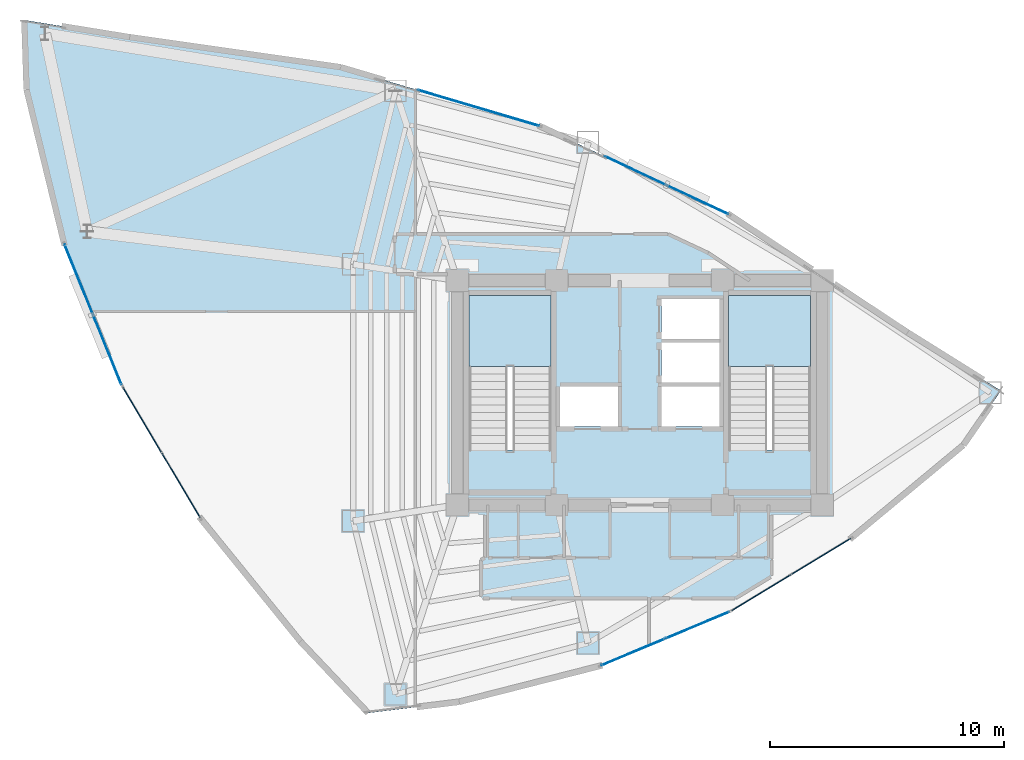
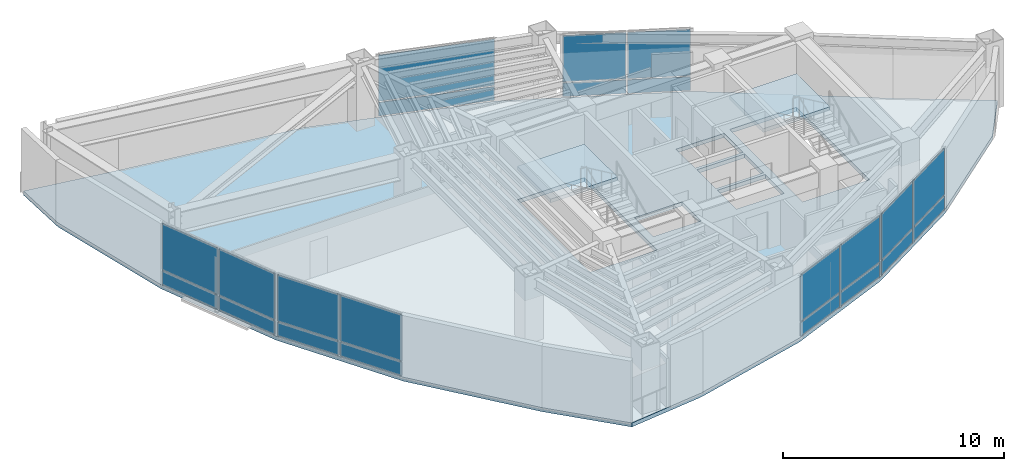
# One storey, part 11 of 16: 22 plates, 3 slabs, 8 elements without a shape of their own.
"""IFC4 building model written with IfcOpenShell, lengths in metres."""

from ifc_helpers import new_model, si_unit, direction, frame, origin, origin_2d, place, context, subcontext, project, spatial, polyline, rectangle, outline, extrude, material, layer, layer_set, type_object, element, aggregate, save


model = new_model("IFC4")

# Units and contexts
model_context = context("Model", 3, precision=1e-05, world=origin(), true_north=direction((0.0, 1.0)))
body_context = subcontext(model_context, "Body", "Model", "MODEL_VIEW")
ifc_project = project(units=[si_unit("LENGTHUNIT", "METRE"), si_unit("AREAUNIT", "SQUARE_METRE"), si_unit("VOLUMEUNIT", "CUBIC_METRE"), si_unit("PLANEANGLEUNIT", "RADIAN"), si_unit("MASSUNIT", "GRAM", prefix="KILO")], contexts=[model_context])

# Site, building, storey
site_placement = place(None, origin())
site = spatial("IfcSite", under=ifc_project, at=site_placement, CompositionType="ELEMENT")
building_placement = place(site_placement, origin())
building = spatial("IfcBuilding", under=site, at=building_placement, Name="Menara Vayukalpa", CompositionType="ELEMENT")
storey_placement = place(building_placement, frame((0.0, 0.0, 198.9599609375)))
storey = spatial("IfcBuildingStorey", under=building, at=storey_placement, Name="L50", CompositionType="ELEMENT", Elevation=198.9599609375)

# Curtain wall, plates
ifc_material_1 = material(Name="Anodised Terracotta Aluminium Alloy 6063-T6", Category="masonry")
ifc_layer_1 = layer(ifc_material_1, 0.179931640625)
ifc_layer_set_1 = layer_set([ifc_layer_1], Name="Anodised Terracotta Aluminium Alloy 6063-T6")
curtain_wall_type = type_object("IfcCurtainWallType", Name="CW-CW4", PredefinedType="USERDEFINED", material=ifc_layer_set_1)
curtain_wall_1_placement = place(storey_placement, origin())
curtain_wall_1 = element("IfcCurtainWall", 1, at=curtain_wall_1_placement, inside=storey, type_object=curtain_wall_type, Name="L50 Sky Bar Cantilever Glazed Curtain Wall CW4 05", ObjectType="UNITISED", PredefinedType="USERDEFINED")
ifc_material_2 = material(Name="Low-E Double Glazing", Category="glass")
ifc_layer_2 = layer(ifc_material_2, 0.0380859375)
ifc_layer_set_2 = layer_set([ifc_layer_2], Name="Low-E Double Glazing")
plate_type = type_object("IfcPlateType", Name="CWP-CW4", PredefinedType="CURTAIN_PANEL", material=ifc_layer_set_2)
plate_1_placement = place(storey_placement, frame((28.0751953125, 30.24462890625, 0.070068359375), z_axis=(0.0, 0.0, 1.0), x_axis=(-0.90578213551, 0.423743699648, 0.0)))
plate_1 = element("IfcPlate", 2, at=plate_1_placement, type_object=plate_type, Name="CW4 panel 1.1", PredefinedType="CURTAIN_PANEL", context=body_context, shape_type="SweptSolid", body=[
    extrude(rectangle(XDim=2.868896484375, YDim=0.0380859375, at=origin_2d()), origin(), (0.0, 0.0, 1.0), 0.7451171875),
])
plate_2_placement = place(storey_placement, frame((28.0751953125, 30.24462890625, 0.885009765625), z_axis=(0.0, 0.0, 1.0), x_axis=(-0.90578213551, 0.423743699648, 0.0)))
plate_2 = element("IfcPlate", 3, at=plate_2_placement, type_object=plate_type, Name="CW4 panel 1.2", PredefinedType="CURTAIN_PANEL", context=body_context, shape_type="SweptSolid", body=[
    extrude(rectangle(XDim=2.868896484375, YDim=0.0380859375, at=origin_2d()), origin(), (0.0, 0.0, 1.0), 2.544921875),
])
plate_3_placement = place(storey_placement, frame((25.40869140625, 31.4921875, 0.070068359375), z_axis=(0.0, 0.0, 1.0), x_axis=(-0.90578213551, 0.423743699648, 0.0)))
plate_3 = element("IfcPlate", 4, at=plate_3_placement, type_object=plate_type, Name="CW4 panel 2.1", PredefinedType="CURTAIN_PANEL", context=body_context, shape_type="SweptSolid", body=[
    extrude(rectangle(XDim=2.868896484375, YDim=0.0380859375, at=origin_2d()), origin(), (0.0, 0.0, 1.0), 0.7451171875),
])
plate_4_placement = place(storey_placement, frame((25.40869140625, 31.4921875, 0.885009765625), z_axis=(0.0, 0.0, 1.0), x_axis=(-0.90578213551, 0.423743699648, 0.0)))
plate_4 = element("IfcPlate", 5, at=plate_4_placement, type_object=plate_type, Name="CW4 panel 2.2", PredefinedType="CURTAIN_PANEL", context=body_context, shape_type="SweptSolid", body=[
    extrude(rectangle(XDim=2.868896484375, YDim=0.0380859375, at=origin_2d()), origin(), (0.0, 0.0, 1.0), 2.544921875),
])
aggregate(curtain_wall_1, [plate_1, plate_2, plate_3, plate_4])

curtain_wall_2_placement = place(storey_placement, origin())
curtain_wall_2 = element("IfcCurtainWall", 6, at=curtain_wall_2_placement, inside=storey, type_object=curtain_wall_type, Name="L50 Sky Bar Cantilever Glazed Curtain Wall CW4 07", ObjectType="UNITISED", PredefinedType="USERDEFINED")
plate_5_placement = place(storey_placement, frame((18.702880859375, 34.17236328125, 0.070068359375), z_axis=(0.0, 0.0, 1.0), x_axis=(-0.958855725645, 0.283893813595, 0.0)))
plate_5 = element("IfcPlate", 7, at=plate_5_placement, type_object=plate_type, Name="CW4 panel 1.1", PredefinedType="CURTAIN_PANEL", context=body_context, shape_type="SweptSolid", body=[
    extrude(rectangle(XDim=5.39892578125, YDim=0.0380859375, at=origin_2d()), origin(), (0.0, 0.0, 1.0), 0.7451171875),
])
plate_6_placement = place(storey_placement, frame((18.702880859375, 34.17236328125, 0.885009765625), z_axis=(0.0, 0.0, 1.0), x_axis=(-0.958855725645, 0.283893813595, 0.0)))
plate_6 = element("IfcPlate", 8, at=plate_6_placement, type_object=plate_type, Name="CW4 panel 1.2", PredefinedType="CURTAIN_PANEL", context=body_context, shape_type="SweptSolid", body=[
    extrude(rectangle(XDim=5.39892578125, YDim=0.0380859375, at=origin_2d()), origin(), (0.0, 0.0, 1.0), 2.544921875),
])
aggregate(curtain_wall_2, [plate_5, plate_6])

curtain_wall_3_placement = place(storey_placement, origin())
curtain_wall_3 = element("IfcCurtainWall", 9, at=curtain_wall_3_placement, inside=storey, type_object=curtain_wall_type, Name="L50 Sky Bar Cantilever Glazed Curtain Wall CW4 13", ObjectType="UNITISED", PredefinedType="USERDEFINED")
plate_7_placement = place(storey_placement, frame((1.60888671875, 26.853271484375, 0.070068359375), z_axis=(0.0, 0.0, 1.0), x_axis=(0.376092351793, -0.926582183577, 0.0)))
plate_7 = element("IfcPlate", 10, at=plate_7_placement, type_object=plate_type, Name="CW4 panel 1.1", PredefinedType="CURTAIN_PANEL", context=body_context, shape_type="SweptSolid", body=[
    extrude(rectangle(XDim=3.18994140625, YDim=0.0380859375, at=origin_2d()), origin(), (0.0, 0.0, 1.0), 0.7451171875),
])
plate_8_placement = place(storey_placement, frame((1.60888671875, 26.853271484375, 0.885009765625), z_axis=(0.0, 0.0, 1.0), x_axis=(0.376092351793, -0.926582183577, 0.0)))
plate_8 = element("IfcPlate", 11, at=plate_8_placement, type_object=plate_type, Name="CW4 panel 1.2", PredefinedType="CURTAIN_PANEL", context=body_context, shape_type="SweptSolid", body=[
    extrude(rectangle(XDim=3.18994140625, YDim=0.0380859375, at=origin_2d()), origin(), (0.0, 0.0, 1.0), 2.544921875),
])
plate_9_placement = place(storey_placement, frame((2.8369140625, 23.827880859375, 0.070068359375), z_axis=(0.0, 0.0, 1.0), x_axis=(0.376092351793, -0.926582183577, 0.0)))
plate_9 = element("IfcPlate", 12, at=plate_9_placement, type_object=plate_type, Name="CW4 panel 2.1", PredefinedType="CURTAIN_PANEL", context=body_context, shape_type="SweptSolid", body=[
    extrude(rectangle(XDim=3.18994140625, YDim=0.0380859375, at=origin_2d()), origin(), (0.0, 0.0, 1.0), 0.7451171875),
])
plate_10_placement = place(storey_placement, frame((2.8369140625, 23.827880859375, 0.885009765625), z_axis=(0.0, 0.0, 1.0), x_axis=(0.376092351793, -0.926582183577, 0.0)))
plate_10 = element("IfcPlate", 13, at=plate_10_placement, type_object=plate_type, Name="CW4 panel 2.2", PredefinedType="CURTAIN_PANEL", context=body_context, shape_type="SweptSolid", body=[
    extrude(rectangle(XDim=3.18994140625, YDim=0.0380859375, at=origin_2d()), origin(), (0.0, 0.0, 1.0), 2.544921875),
])
aggregate(curtain_wall_3, [plate_7, plate_8, plate_9, plate_10])

curtain_wall_4_placement = place(storey_placement, origin())
curtain_wall_4 = element("IfcCurtainWall", 14, at=curtain_wall_4_placement, inside=storey, type_object=curtain_wall_type, Name="L50 Sky Bar Cantilever Glazed Curtain Wall CW4 14", ObjectType="UNITISED", PredefinedType="USERDEFINED")
plate_11_placement = place(storey_placement, frame((4.31689453125, 20.84423828125, 0.070068359375), z_axis=(0.0, 0.0, 1.0), x_axis=(0.510091625634, -0.86012006921, 0.0)))
plate_11 = element("IfcPlate", 15, at=plate_11_placement, type_object=plate_type, Name="CW4 panel 1.1", PredefinedType="CURTAIN_PANEL", context=body_context, shape_type="SweptSolid", body=[
    extrude(rectangle(XDim=3.18994140625, YDim=0.0380859375, at=origin_2d()), origin(), (0.0, 0.0, 1.0), 0.7451171875),
])
plate_12_placement = place(storey_placement, frame((4.31689453125, 20.84423828125, 0.885009765625), z_axis=(0.0, 0.0, 1.0), x_axis=(0.510091625634, -0.86012006921, 0.0)))
plate_12 = element("IfcPlate", 16, at=plate_12_placement, type_object=plate_type, Name="CW4 panel 1.2", PredefinedType="CURTAIN_PANEL", context=body_context, shape_type="SweptSolid", body=[
    extrude(rectangle(XDim=3.18994140625, YDim=0.0380859375, at=origin_2d()), origin(), (0.0, 0.0, 1.0), 2.544921875),
])
plate_13_placement = place(storey_placement, frame((5.982177734375, 18.035888671875, 0.070068359375), z_axis=(0.0, 0.0, 1.0), x_axis=(0.510091625634, -0.86012006921, 0.0)))
plate_13 = element("IfcPlate", 17, at=plate_13_placement, type_object=plate_type, Name="CW4 panel 2.1", PredefinedType="CURTAIN_PANEL", context=body_context, shape_type="SweptSolid", body=[
    extrude(rectangle(XDim=3.18994140625, YDim=0.0380859375, at=origin_2d()), origin(), (0.0, 0.0, 1.0), 0.7451171875),
])
plate_14_placement = place(storey_placement, frame((5.982177734375, 18.035888671875, 0.885009765625), z_axis=(0.0, 0.0, 1.0), x_axis=(0.510091625634, -0.86012006921, 0.0)))
plate_14 = element("IfcPlate", 18, at=plate_14_placement, type_object=plate_type, Name="CW4 panel 2.2", PredefinedType="CURTAIN_PANEL", context=body_context, shape_type="SweptSolid", body=[
    extrude(rectangle(XDim=3.18994140625, YDim=0.0380859375, at=origin_2d()), origin(), (0.0, 0.0, 1.0), 2.544921875),
])
aggregate(curtain_wall_4, [plate_11, plate_12, plate_13, plate_14])

curtain_wall_5_placement = place(storey_placement, origin())
curtain_wall_5 = element("IfcCurtainWall", 19, at=curtain_wall_5_placement, inside=storey, type_object=curtain_wall_type, Name="L50 Sky Bar Cantilever Glazed Curtain Wall CW4 19", ObjectType="UNITISED", PredefinedType="USERDEFINED")
plate_15_placement = place(storey_placement, frame((25.3046875, 10.90380859375, 0.070068359375), z_axis=(0.0, 0.0, 1.0), x_axis=(0.922539431351, 0.385902834406, 0.0)))
plate_15 = element("IfcPlate", 20, at=plate_15_placement, type_object=plate_type, Name="CW4 panel 1.1", PredefinedType="CURTAIN_PANEL", context=body_context, shape_type="SweptSolid", body=[
    extrude(rectangle(XDim=2.919921875, YDim=0.0380859375, at=origin_2d()), origin(), (0.0, 0.0, 1.0), 0.7451171875),
])
plate_16_placement = place(storey_placement, frame((25.3046875, 10.90380859375, 0.885009765625), z_axis=(0.0, 0.0, 1.0), x_axis=(0.922539431351, 0.385902834406, 0.0)))
plate_16 = element("IfcPlate", 21, at=plate_16_placement, type_object=plate_type, Name="CW4 panel 1.2", PredefinedType="CURTAIN_PANEL", context=body_context, shape_type="SweptSolid", body=[
    extrude(rectangle(XDim=2.919921875, YDim=0.0380859375, at=origin_2d()), origin(), (0.0, 0.0, 1.0), 2.544921875),
])
plate_17_placement = place(storey_placement, frame((28.067626953125, 12.0595703125, 0.070068359375), z_axis=(0.0, 0.0, 1.0), x_axis=(0.922539431351, 0.385902834406, 0.0)))
plate_17 = element("IfcPlate", 22, at=plate_17_placement, type_object=plate_type, Name="CW4 panel 2.1", PredefinedType="CURTAIN_PANEL", context=body_context, shape_type="SweptSolid", body=[
    extrude(rectangle(XDim=2.919921875, YDim=0.0380859375, at=origin_2d()), origin(), (0.0, 0.0, 1.0), 0.7451171875),
])
plate_18_placement = place(storey_placement, frame((28.067626953125, 12.0595703125, 0.885009765625), z_axis=(0.0, 0.0, 1.0), x_axis=(0.922539431351, 0.385902834406, 0.0)))
plate_18 = element("IfcPlate", 23, at=plate_18_placement, type_object=plate_type, Name="CW4 panel 2.2", PredefinedType="CURTAIN_PANEL", context=body_context, shape_type="SweptSolid", body=[
    extrude(rectangle(XDim=2.919921875, YDim=0.0380859375, at=origin_2d()), origin(), (0.0, 0.0, 1.0), 2.544921875),
])
aggregate(curtain_wall_5, [plate_15, plate_16, plate_17, plate_18])

curtain_wall_6_placement = place(storey_placement, origin())
curtain_wall_6 = element("IfcCurtainWall", 24, at=curtain_wall_6_placement, inside=storey, type_object=curtain_wall_type, Name="L50 Sky Bar Cantilever Glazed Curtain Wall CW4 20", ObjectType="UNITISED", PredefinedType="USERDEFINED")
plate_19_placement = place(storey_placement, frame((30.795654296875, 13.44873046875, 0.070068359375), z_axis=(0.0, 0.0, 1.0), x_axis=(0.854664974832, 0.519179911779, 0.0)))
plate_19 = element("IfcPlate", 25, at=plate_19_placement, type_object=plate_type, Name="CW4 panel 1.1", PredefinedType="CURTAIN_PANEL", context=body_context, shape_type="SweptSolid", body=[
    extrude(rectangle(XDim=2.919921875, YDim=0.0380859375, at=origin_2d()), origin(), (0.0, 0.0, 1.0), 0.7451171875),
])
plate_20_placement = place(storey_placement, frame((30.795654296875, 13.44873046875, 0.885009765625), z_axis=(0.0, 0.0, 1.0), x_axis=(0.854664974832, 0.519179911779, 0.0)))
plate_20 = element("IfcPlate", 26, at=plate_20_placement, type_object=plate_type, Name="CW4 panel 1.2", PredefinedType="CURTAIN_PANEL", context=body_context, shape_type="SweptSolid", body=[
    extrude(rectangle(XDim=2.919921875, YDim=0.0380859375, at=origin_2d()), origin(), (0.0, 0.0, 1.0), 2.544921875),
])
plate_21_placement = place(storey_placement, frame((33.35546875, 15.003662109375, 0.070068359375), z_axis=(0.0, 0.0, 1.0), x_axis=(0.854664974832, 0.519179911779, 0.0)))
plate_21 = element("IfcPlate", 27, at=plate_21_placement, type_object=plate_type, Name="CW4 panel 2.1", PredefinedType="CURTAIN_PANEL", context=body_context, shape_type="SweptSolid", body=[
    extrude(rectangle(XDim=2.919921875, YDim=0.0380859375, at=origin_2d()), origin(), (0.0, 0.0, 1.0), 0.7451171875),
])
plate_22_placement = place(storey_placement, frame((33.35546875, 15.003662109375, 0.885009765625), z_axis=(0.0, 0.0, 1.0), x_axis=(0.854664974832, 0.519179911779, 0.0)))
plate_22 = element("IfcPlate", 28, at=plate_22_placement, type_object=plate_type, Name="CW4 panel 2.2", PredefinedType="CURTAIN_PANEL", context=body_context, shape_type="SweptSolid", body=[
    extrude(rectangle(XDim=2.919921875, YDim=0.0380859375, at=origin_2d()), origin(), (0.0, 0.0, 1.0), 2.544921875),
])
aggregate(curtain_wall_6, [plate_19, plate_20, plate_21, plate_22])

# Slab
ifc_material_3 = material(Name="Concrete C40/50", Category="concrete")
ifc_layer_3 = layer(ifc_material_3, 0.219970703125)
ifc_layer_set_3 = layer_set([ifc_layer_3], Name="Concrete C40/50")
slab_type_1 = type_object("IfcSlabType", Name="SLB-FL220", PredefinedType="FLOOR", material=ifc_layer_set_3)
slab_1_placement = place(storey_placement, frame((0.0, 0.0, -0.219970703125)))
element("IfcSlab", 29, at=slab_1_placement, inside=storey, type_object=slab_type_1, Name="L50 Sky Bar Structural Floor Slab", PredefinedType="FLOOR", context=body_context, shape_type="SweptSolid", body=[
    extrude(outline(polyline([(39.439208984375, 19.7578125), (41.042724609375, 22.083984375), (37.04833984375, 24.578125), (29.4423828125, 29.60498046875), (21.36328125, 33.384765625), (12.810546875, 35.9169921875), (3.784423828125, 37.201904296875), (-0.712890625, 37.930419921875), (-0.6181640625, 34.959716796875), (0.98095703125, 28.400634765625), (3.465087890625, 22.280517578125), (6.833984375, 16.599609375), (11.08837890625, 11.357421875), (13.982177734375, 8.302978515625), (17.881591796875, 8.779296875), (23.888671875, 10.311279296875), (29.48388671875, 12.65185546875), (34.667236328125, 15.80078125), (39.439208984375, 19.7578125)]), holes=[polyline([(21.800048828125, 19.550048828125), (21.800048828125, 26.14990234375), (18.300048828125, 26.14990234375), (18.300048828125, 19.550048828125), (21.800048828125, 19.550048828125)]), polyline([(32.89990234375, 19.550048828125), (32.89990234375, 26.14990234375), (29.39990234375, 26.14990234375), (29.39990234375, 19.550048828125), (32.89990234375, 19.550048828125)]), polyline([(22.179931640625, 20.550048828125), (24.679931640625, 20.550048828125), (24.679931640625, 22.27001953125), (22.179931640625, 22.27001953125), (22.179931640625, 20.550048828125)]), polyline([(26.52001953125, 20.550048828125), (29.02001953125, 20.550048828125), (29.02001953125, 22.27001953125), (26.52001953125, 22.27001953125), (26.52001953125, 20.550048828125)]), polyline([(26.52001953125, 24.2900390625), (29.02001953125, 24.2900390625), (29.02001953125, 26.010009765625), (26.52001953125, 26.010009765625), (26.52001953125, 24.2900390625)]), polyline([(26.52001953125, 22.419921875), (29.02001953125, 22.419921875), (29.02001953125, 24.139892578125), (26.52001953125, 24.139892578125), (26.52001953125, 22.419921875)])]), origin(), (0.0, 0.0, 1.0), 0.219970703125),
])

# Stair, slab
ifc_material_4 = material(Name="Precast Concrete C40/50", Category="concrete")
stair_type = type_object("IfcStairType", Name="STR-T04", PredefinedType="DOUBLE_RETURN_STAIR", material=ifc_material_4)
stair_1_placement = place(storey_placement, origin())
stair_1 = element("IfcStair", 30, at=stair_1_placement, inside=storey, type_object=stair_type, Name="L50 Core Exit Stair ST-1", PredefinedType="DOUBLE_RETURN_STAIR")
ifc_material_5 = material(Name="Precast Concrete C40/50", Category="concrete")
ifc_layer_4 = layer(ifc_material_5, 0.199951171875)
ifc_layer_set_4 = layer_set([ifc_layer_4], Name="Precast Concrete C40/50")
slab_type_2 = type_object("IfcSlabType", Name="SLB-LND200", PredefinedType="LANDING", material=ifc_layer_set_4)
slab_2_placement = place(storey_placement, frame((0.0, 0.0, 1.66015625)))
slab_2 = element("IfcSlab", 31, at=slab_2_placement, type_object=slab_type_2, Name="ST-1 landing 1", PredefinedType="LANDING", context=body_context, shape_type="SweptSolid", body=[
    extrude(outline(polyline([(21.800048828125, 23.1298828125), (21.800048828125, 26.14990234375), (18.300048828125, 26.14990234375), (18.300048828125, 23.1298828125), (21.800048828125, 23.1298828125)])), origin(), (0.0, 0.0, 1.0), 0.199951171875),
])
aggregate(stair_1, [slab_2])

stair_2_placement = place(storey_placement, origin())
stair_2 = element("IfcStair", 32, at=stair_2_placement, inside=storey, type_object=stair_type, Name="L50 Core Exit Stair ST-2", PredefinedType="DOUBLE_RETURN_STAIR")
slab_3_placement = place(storey_placement, frame((0.0, 0.0, 1.66015625)))
slab_3 = element("IfcSlab", 33, at=slab_3_placement, type_object=slab_type_2, Name="ST-2 landing 1", PredefinedType="LANDING", context=body_context, shape_type="SweptSolid", body=[
    extrude(outline(polyline([(32.89990234375, 23.1298828125), (32.89990234375, 26.14990234375), (29.39990234375, 26.14990234375), (29.39990234375, 23.1298828125), (32.89990234375, 23.1298828125)])), origin(), (0.0, 0.0, 1.0), 0.199951171875),
])
aggregate(stair_2, [slab_3])

save(model, "model.ifc")
